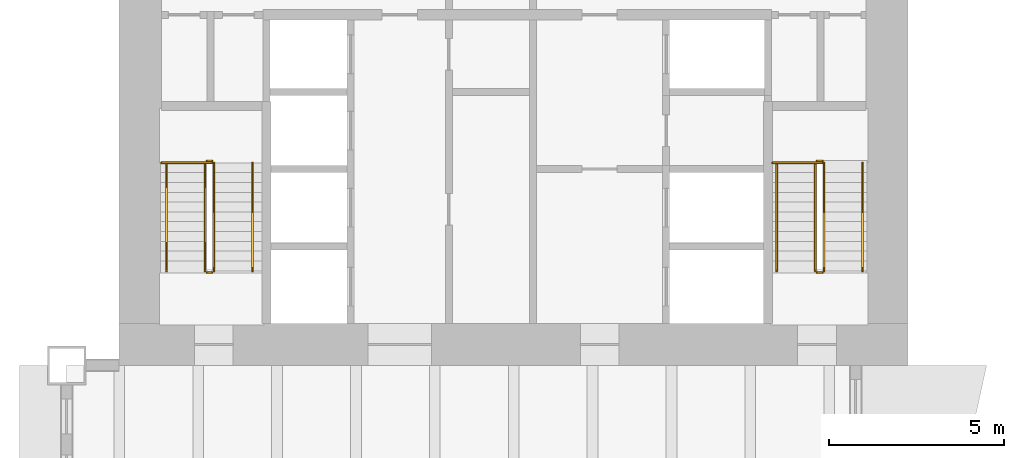
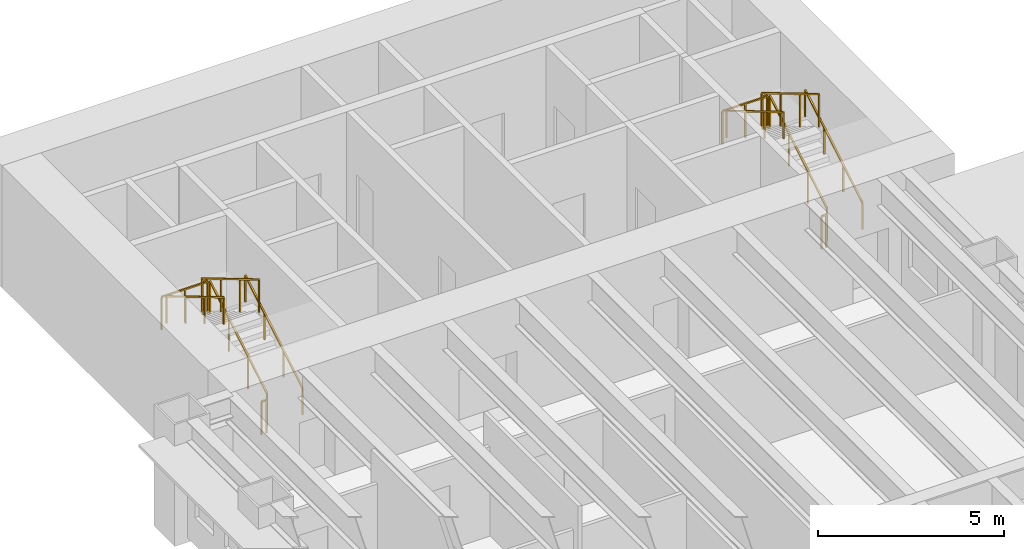
# One storey, part 16 of 16: 14 railings.
"""IFC4 building model written with IfcOpenShell, lengths in metres."""

from ifc_helpers import new_model, si_unit, direction, frame, origin, origin_2d, place, context, subcontext, project, spatial, rectangle, extrude, material, type_object, element, save


model = new_model("IFC4")

# Units and contexts
model_context = context("Model", 3, precision=1e-05, world=origin(), true_north=direction((0.0, 1.0)))
body_context = subcontext(model_context, "Body", "Model", "MODEL_VIEW")
ifc_project = project(units=[si_unit("LENGTHUNIT", "METRE"), si_unit("AREAUNIT", "SQUARE_METRE"), si_unit("VOLUMEUNIT", "CUBIC_METRE"), si_unit("PLANEANGLEUNIT", "RADIAN"), si_unit("MASSUNIT", "GRAM", prefix="KILO")], contexts=[model_context])

# Site, building, storey
site_placement = place(None, origin())
site = spatial("IfcSite", under=ifc_project, at=site_placement, CompositionType="ELEMENT")
building_placement = place(site_placement, origin())
building = spatial("IfcBuilding", under=site, at=building_placement, Name="Sennacour Bend Tower", CompositionType="ELEMENT")
storey_placement = place(building_placement, frame((0.0, 0.0, 69.0)))
storey = spatial("IfcBuildingStorey", under=building, at=storey_placement, Name="L15", CompositionType="ELEMENT", Elevation=69.0)

# Railings
ifc_material = material(Name="Stainless steel", Category="steel")
railing_type_1 = type_object("IfcRailingType", Name="RL-GUARD-1100", PredefinedType="GUARDRAIL", material=ifc_material)
railing_1_placement = place(storey_placement, frame((2.699951171875, 38.699951171875, 0.166748046875)))
element("IfcRailing", 1, at=railing_1_placement, inside=storey, type_object=railing_type_1, Name="L15 SB1 stair guard 1", PredefinedType="GUARDRAIL", context=body_context, shape_type="SweptSolid", body=[
    extrude(rectangle(XDim=0.048095703125, YDim=0.048095703125, at=origin_2d()), frame((0.0, 0.0, 1.076171875), z_axis=(0.0, 0.859308565015, 0.511457515432), x_axis=(-1.0, 0.0, 0.0)), (0.0, 0.0, 1.0), 3.58447265625),
    extrude(rectangle(XDim=0.0419921875, YDim=0.0419921875, at=origin_2d()), origin(), (0.0, 0.0, 1.0), 1.052001953125),
    extrude(rectangle(XDim=0.0419921875, YDim=0.0419921875, at=origin_2d()), frame((0.0, 1.026611328125, 0.611083984375)), (0.0, 0.0, 1.0), 1.052001953125),
    extrude(rectangle(XDim=0.0419921875, YDim=0.0419921875, at=origin_2d()), frame((0.0, 2.053466796875, 1.22216796875)), (0.0, 0.0, 1.0), 1.052001953125),
    extrude(rectangle(XDim=0.0419921875, YDim=0.0419921875, at=origin_2d()), frame((0.0, 3.080078125, 1.833251953125)), (0.0, 0.0, 1.0), 1.052001953125),
])
railing_2_placement = place(storey_placement, frame((2.64990234375, 41.830078125, 2.0)))
element("IfcRailing", 2, at=railing_2_placement, inside=storey, type_object=railing_type_1, Name="L15 SB1 stair guard 2", PredefinedType="GUARDRAIL", context=body_context, shape_type="SweptSolid", body=[
    extrude(rectangle(XDim=0.048095703125, YDim=0.048095703125, at=origin_2d()), frame((0.0, 0.0, 1.076171875), z_axis=(-1.0, 0.0, 0.0), x_axis=(0.0, -1.0, 0.0)), (0.0, 0.0, 1.0), 0.14990234375),
    extrude(rectangle(XDim=0.0419921875, YDim=0.0419921875, at=origin_2d()), origin(), (0.0, 0.0, 1.0), 1.052001953125),
    extrude(rectangle(XDim=0.0419921875, YDim=0.0419921875, at=origin_2d()), frame((-0.14990234375, 0.0, 0.0)), (0.0, 0.0, 1.0), 1.052001953125),
])
railing_3_placement = place(storey_placement, frame((2.449951171875, 41.780029296875, 2.166748046875)))
element("IfcRailing", 3, at=railing_3_placement, inside=storey, type_object=railing_type_1, Name="L15 SB1 stair guard 4", PredefinedType="GUARDRAIL", context=body_context, shape_type="SweptSolid", body=[
    extrude(rectangle(XDim=0.048095703125, YDim=0.048095703125, at=origin_2d()), frame((0.0, 0.0, 1.076171875), z_axis=(0.0, -0.859308565015, 0.511457515432), x_axis=(1.0, 0.0, 0.0)), (0.0, 0.0, 1.0), 3.58447265625),
    extrude(rectangle(XDim=0.0419921875, YDim=0.0419921875, at=origin_2d()), origin(), (0.0, 0.0, 1.0), 1.052001953125),
    extrude(rectangle(XDim=0.0419921875, YDim=0.0419921875, at=origin_2d()), frame((0.0, -1.026611328125, 0.611083984375)), (0.0, 0.0, 1.0), 1.052001953125),
    extrude(rectangle(XDim=0.0419921875, YDim=0.0419921875, at=origin_2d()), frame((0.0, -2.053466796875, 1.22216796875)), (0.0, 0.0, 1.0), 1.052001953125),
    extrude(rectangle(XDim=0.0419921875, YDim=0.0419921875, at=origin_2d()), frame((0.0, -3.080078125, 1.833251953125)), (0.0, 0.0, 1.0), 1.052001953125),
])
railing_4_placement = place(storey_placement, frame((2.64990234375, 38.64990234375, 0.0)))
element("IfcRailing", 4, at=railing_4_placement, inside=storey, type_object=railing_type_1, Name="L15 SB1 stair guard 5", PredefinedType="GUARDRAIL", context=body_context, shape_type="SweptSolid", body=[
    extrude(rectangle(XDim=0.048095703125, YDim=0.048095703125, at=origin_2d()), frame((0.0, 0.0, 1.076171875), z_axis=(-1.0, 0.0, 0.0), x_axis=(0.0, -1.0, 0.0)), (0.0, 0.0, 1.0), 0.14990234375),
    extrude(rectangle(XDim=0.0419921875, YDim=0.0419921875, at=origin_2d()), origin(), (0.0, 0.0, 1.0), 1.052001953125),
    extrude(rectangle(XDim=0.0419921875, YDim=0.0419921875, at=origin_2d()), frame((-0.14990234375, 0.0, 0.0)), (0.0, 0.0, 1.0), 1.052001953125),
])
railing_5_placement = place(storey_placement, frame((2.64990234375, 41.780029296875, 2.0)))
element("IfcRailing", 5, at=railing_5_placement, inside=storey, type_object=railing_type_1, Name="L15 SB1 landing edge guard 34", PredefinedType="GUARDRAIL", context=body_context, shape_type="SweptSolid", body=[
    extrude(rectangle(XDim=0.048095703125, YDim=0.048095703125, at=origin_2d()), frame((0.0, 0.0, 1.076171875), z_axis=(-1.0, 0.0, 0.0), x_axis=(0.0, -1.0, 0.0)), (0.0, 0.0, 1.0), 1.449951171875),
    extrude(rectangle(XDim=0.0419921875, YDim=0.0419921875, at=origin_2d()), origin(), (0.0, 0.0, 1.0), 1.052001953125),
    extrude(rectangle(XDim=0.0419921875, YDim=0.0419921875, at=origin_2d()), frame((-0.72509765625, 0.0, 0.0)), (0.0, 0.0, 1.0), 1.052001953125),
    extrude(rectangle(XDim=0.0419921875, YDim=0.0419921875, at=origin_2d()), frame((-1.449951171875, 0.0, 0.0)), (0.0, 0.0, 1.0), 1.052001953125),
])
railing_6_placement = place(storey_placement, frame((20.10009765625, 38.699951171875, 0.166748046875)))
element("IfcRailing", 6, at=railing_6_placement, inside=storey, type_object=railing_type_1, Name="L15 SB2 stair guard 1", PredefinedType="GUARDRAIL", context=body_context, shape_type="SweptSolid", body=[
    extrude(rectangle(XDim=0.048095703125, YDim=0.048095703125, at=origin_2d()), frame((0.0, 0.0, 1.076171875), z_axis=(0.0, 0.859308565015, 0.511457515432), x_axis=(-1.0, 0.0, 0.0)), (0.0, 0.0, 1.0), 3.58447265625),
    extrude(rectangle(XDim=0.0419921875, YDim=0.0419921875, at=origin_2d()), origin(), (0.0, 0.0, 1.0), 1.052001953125),
    extrude(rectangle(XDim=0.0419921875, YDim=0.0419921875, at=origin_2d()), frame((0.0, 1.026611328125, 0.611083984375)), (0.0, 0.0, 1.0), 1.052001953125),
    extrude(rectangle(XDim=0.0419921875, YDim=0.0419921875, at=origin_2d()), frame((0.0, 2.053466796875, 1.22216796875)), (0.0, 0.0, 1.0), 1.052001953125),
    extrude(rectangle(XDim=0.0419921875, YDim=0.0419921875, at=origin_2d()), frame((0.0, 3.080078125, 1.833251953125)), (0.0, 0.0, 1.0), 1.052001953125),
])
railing_7_placement = place(storey_placement, frame((20.050048828125, 41.830078125, 2.0)))
element("IfcRailing", 7, at=railing_7_placement, inside=storey, type_object=railing_type_1, Name="L15 SB2 stair guard 2", PredefinedType="GUARDRAIL", context=body_context, shape_type="SweptSolid", body=[
    extrude(rectangle(XDim=0.048095703125, YDim=0.048095703125, at=origin_2d()), frame((0.0, 0.0, 1.076171875), z_axis=(-1.0, 0.0, 0.0), x_axis=(0.0, -1.0, 0.0)), (0.0, 0.0, 1.0), 0.150146484375),
    extrude(rectangle(XDim=0.0419921875, YDim=0.0419921875, at=origin_2d()), origin(), (0.0, 0.0, 1.0), 1.052001953125),
    extrude(rectangle(XDim=0.0419921875, YDim=0.0419921875, at=origin_2d()), frame((-0.150146484375, 0.0, 0.0)), (0.0, 0.0, 1.0), 1.052001953125),
])
railing_8_placement = place(storey_placement, frame((19.85009765625, 41.780029296875, 2.166748046875)))
element("IfcRailing", 8, at=railing_8_placement, inside=storey, type_object=railing_type_1, Name="L15 SB2 stair guard 4", PredefinedType="GUARDRAIL", context=body_context, shape_type="SweptSolid", body=[
    extrude(rectangle(XDim=0.048095703125, YDim=0.048095703125, at=origin_2d()), frame((0.0, 0.0, 1.076171875), z_axis=(0.0, -0.859308565015, 0.511457515432), x_axis=(1.0, 0.0, 0.0)), (0.0, 0.0, 1.0), 3.58447265625),
    extrude(rectangle(XDim=0.0419921875, YDim=0.0419921875, at=origin_2d()), origin(), (0.0, 0.0, 1.0), 1.052001953125),
    extrude(rectangle(XDim=0.0419921875, YDim=0.0419921875, at=origin_2d()), frame((0.0, -1.026611328125, 0.611083984375)), (0.0, 0.0, 1.0), 1.052001953125),
    extrude(rectangle(XDim=0.0419921875, YDim=0.0419921875, at=origin_2d()), frame((0.0, -2.053466796875, 1.22216796875)), (0.0, 0.0, 1.0), 1.052001953125),
    extrude(rectangle(XDim=0.0419921875, YDim=0.0419921875, at=origin_2d()), frame((0.0, -3.080078125, 1.833251953125)), (0.0, 0.0, 1.0), 1.052001953125),
])
railing_9_placement = place(storey_placement, frame((20.050048828125, 38.64990234375, 0.0)))
element("IfcRailing", 9, at=railing_9_placement, inside=storey, type_object=railing_type_1, Name="L15 SB2 stair guard 5", PredefinedType="GUARDRAIL", context=body_context, shape_type="SweptSolid", body=[
    extrude(rectangle(XDim=0.048095703125, YDim=0.048095703125, at=origin_2d()), frame((0.0, 0.0, 1.076171875), z_axis=(-1.0, 0.0, 0.0), x_axis=(0.0, -1.0, 0.0)), (0.0, 0.0, 1.0), 0.150146484375),
    extrude(rectangle(XDim=0.0419921875, YDim=0.0419921875, at=origin_2d()), origin(), (0.0, 0.0, 1.0), 1.052001953125),
    extrude(rectangle(XDim=0.0419921875, YDim=0.0419921875, at=origin_2d()), frame((-0.150146484375, 0.0, 0.0)), (0.0, 0.0, 1.0), 1.052001953125),
])
railing_10_placement = place(storey_placement, frame((20.050048828125, 41.780029296875, 2.0)))
element("IfcRailing", 10, at=railing_10_placement, inside=storey, type_object=railing_type_1, Name="L15 SB2 landing edge guard 26", PredefinedType="GUARDRAIL", context=body_context, shape_type="SweptSolid", body=[
    extrude(rectangle(XDim=0.048095703125, YDim=0.048095703125, at=origin_2d()), frame((0.0, 0.0, 1.076171875), z_axis=(-1.0, 0.0, 0.0), x_axis=(0.0, -1.0, 0.0)), (0.0, 0.0, 1.0), 1.425048828125),
    extrude(rectangle(XDim=0.0419921875, YDim=0.0419921875, at=origin_2d()), origin(), (0.0, 0.0, 1.0), 1.052001953125),
    extrude(rectangle(XDim=0.0419921875, YDim=0.0419921875, at=origin_2d()), frame((-0.71240234375, 0.0, 0.0)), (0.0, 0.0, 1.0), 1.052001953125),
    extrude(rectangle(XDim=0.0419921875, YDim=0.0419921875, at=origin_2d()), frame((-1.425048828125, 0.0, 0.0)), (0.0, 0.0, 1.0), 1.052001953125),
])
railing_type_2 = type_object("IfcRailingType", Name="RL-HANDRAIL-900", PredefinedType="HANDRAIL", material=ifc_material)
railing_11_placement = place(storey_placement, frame((3.800048828125, 38.699951171875, 0.166748046875)))
element("IfcRailing", 11, at=railing_11_placement, inside=storey, type_object=railing_type_2, Name="L15 SB1 stair handrail 1", PredefinedType="HANDRAIL", context=body_context, shape_type="SweptSolid", body=[
    extrude(rectangle(XDim=0.048095703125, YDim=0.048095703125, at=origin_2d()), frame((0.0, 0.0, 0.8759765625), z_axis=(0.0, 0.859308565015, 0.511457515432), x_axis=(-1.0, 0.0, 0.0)), (0.0, 0.0, 1.0), 3.58447265625),
    extrude(rectangle(XDim=0.0419921875, YDim=0.0419921875, at=origin_2d()), origin(), (0.0, 0.0, 1.0), 0.851806640625),
    extrude(rectangle(XDim=0.0419921875, YDim=0.0419921875, at=origin_2d()), frame((0.0, 1.026611328125, 0.611083984375)), (0.0, 0.0, 1.0), 0.851806640625),
    extrude(rectangle(XDim=0.0419921875, YDim=0.0419921875, at=origin_2d()), frame((0.0, 2.053466796875, 1.22216796875)), (0.0, 0.0, 1.0), 0.851806640625),
    extrude(rectangle(XDim=0.0419921875, YDim=0.0419921875, at=origin_2d()), frame((0.0, 3.080078125, 1.833251953125)), (0.0, 0.0, 1.0), 0.851806640625),
])
railing_12_placement = place(storey_placement, frame((1.35009765625, 41.780029296875, 2.166748046875)))
element("IfcRailing", 12, at=railing_12_placement, inside=storey, type_object=railing_type_2, Name="L15 SB1 stair handrail 2", PredefinedType="HANDRAIL", context=body_context, shape_type="SweptSolid", body=[
    extrude(rectangle(XDim=0.048095703125, YDim=0.048095703125, at=origin_2d()), frame((0.0, 0.0, 0.8759765625), z_axis=(0.0, -0.859308565015, 0.511457515432), x_axis=(1.0, 0.0, 0.0)), (0.0, 0.0, 1.0), 3.58447265625),
    extrude(rectangle(XDim=0.0419921875, YDim=0.0419921875, at=origin_2d()), origin(), (0.0, 0.0, 1.0), 0.851806640625),
    extrude(rectangle(XDim=0.0419921875, YDim=0.0419921875, at=origin_2d()), frame((0.0, -1.026611328125, 0.611083984375)), (0.0, 0.0, 1.0), 0.851806640625),
    extrude(rectangle(XDim=0.0419921875, YDim=0.0419921875, at=origin_2d()), frame((0.0, -2.053466796875, 1.22216796875)), (0.0, 0.0, 1.0), 0.851806640625),
    extrude(rectangle(XDim=0.0419921875, YDim=0.0419921875, at=origin_2d()), frame((0.0, -3.080078125, 1.833251953125)), (0.0, 0.0, 1.0), 0.851806640625),
])
railing_13_placement = place(storey_placement, frame((21.199951171875, 38.699951171875, 0.166748046875)))
element("IfcRailing", 13, at=railing_13_placement, inside=storey, type_object=railing_type_2, Name="L15 SB2 stair handrail 1", PredefinedType="HANDRAIL", context=body_context, shape_type="SweptSolid", body=[
    extrude(rectangle(XDim=0.048095703125, YDim=0.048095703125, at=origin_2d()), frame((0.0, 0.0, 0.8759765625), z_axis=(0.0, 0.859308565015, 0.511457515432), x_axis=(-1.0, 0.0, 0.0)), (0.0, 0.0, 1.0), 3.58447265625),
    extrude(rectangle(XDim=0.0419921875, YDim=0.0419921875, at=origin_2d()), origin(), (0.0, 0.0, 1.0), 0.851806640625),
    extrude(rectangle(XDim=0.0419921875, YDim=0.0419921875, at=origin_2d()), frame((0.0, 1.026611328125, 0.611083984375)), (0.0, 0.0, 1.0), 0.851806640625),
    extrude(rectangle(XDim=0.0419921875, YDim=0.0419921875, at=origin_2d()), frame((0.0, 2.053466796875, 1.22216796875)), (0.0, 0.0, 1.0), 0.851806640625),
    extrude(rectangle(XDim=0.0419921875, YDim=0.0419921875, at=origin_2d()), frame((0.0, 3.080078125, 1.833251953125)), (0.0, 0.0, 1.0), 0.851806640625),
])
railing_14_placement = place(storey_placement, frame((18.75, 41.780029296875, 2.166748046875)))
element("IfcRailing", 14, at=railing_14_placement, inside=storey, type_object=railing_type_2, Name="L15 SB2 stair handrail 2", PredefinedType="HANDRAIL", context=body_context, shape_type="SweptSolid", body=[
    extrude(rectangle(XDim=0.048095703125, YDim=0.048095703125, at=origin_2d()), frame((0.0, 0.0, 0.8759765625), z_axis=(0.0, -0.859308565015, 0.511457515432), x_axis=(1.0, 0.0, 0.0)), (0.0, 0.0, 1.0), 3.58447265625),
    extrude(rectangle(XDim=0.0419921875, YDim=0.0419921875, at=origin_2d()), origin(), (0.0, 0.0, 1.0), 0.851806640625),
    extrude(rectangle(XDim=0.0419921875, YDim=0.0419921875, at=origin_2d()), frame((0.0, -1.026611328125, 0.611083984375)), (0.0, 0.0, 1.0), 0.851806640625),
    extrude(rectangle(XDim=0.0419921875, YDim=0.0419921875, at=origin_2d()), frame((0.0, -2.053466796875, 1.22216796875)), (0.0, 0.0, 1.0), 0.851806640625),
    extrude(rectangle(XDim=0.0419921875, YDim=0.0419921875, at=origin_2d()), frame((0.0, -3.080078125, 1.833251953125)), (0.0, 0.0, 1.0), 0.851806640625),
])

save(model, "model.ifc")
